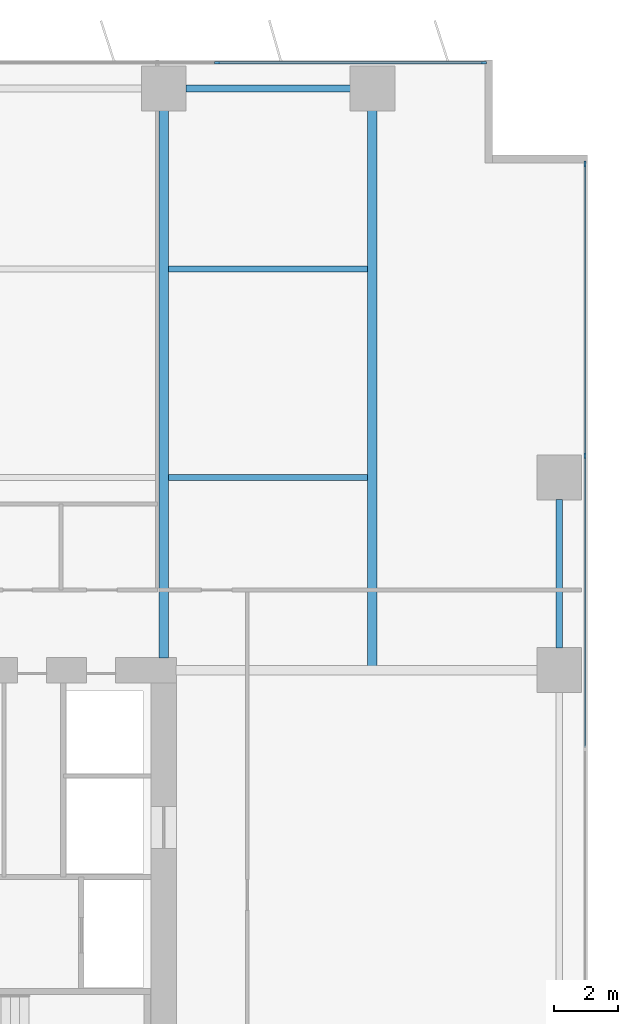
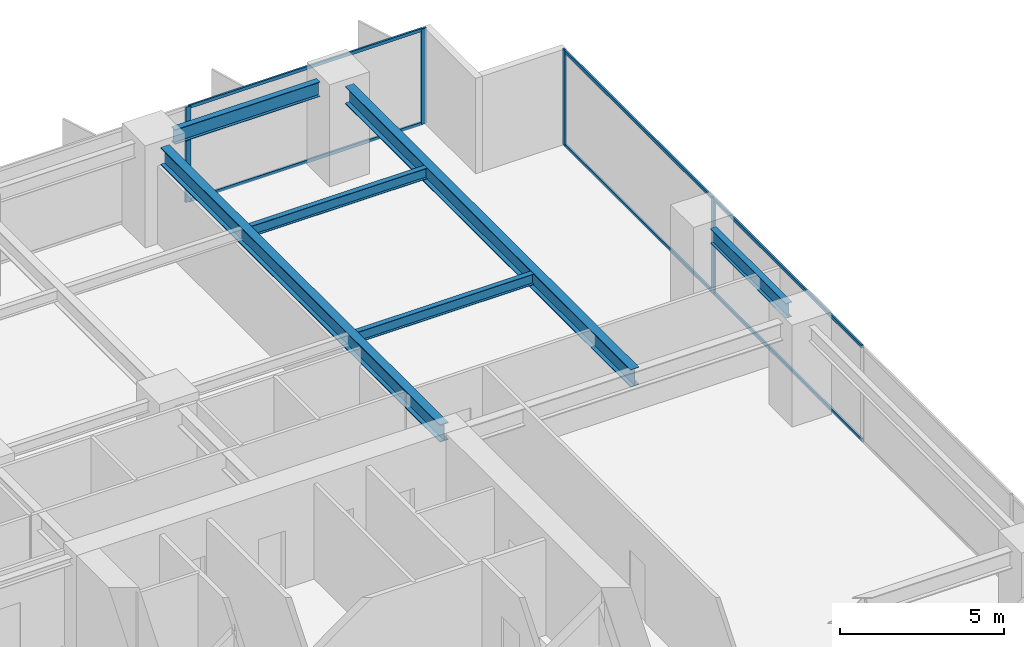
# One storey, part 11 of 20: 10 members, 6 beams, 2 elements without a shape of their own.
"""IFC4 building model written with IfcOpenShell, lengths in metres."""

from ifc_helpers import new_model, si_unit, direction, frame, origin, origin_2d, place, context, subcontext, project, spatial, rectangle, i_section, extrude, material, layer, layer_set, material_profile, profile_set, type_object, element, aggregate, save


model = new_model("IFC4")

# Units and contexts
model_context = context("Model", 3, precision=1e-05, world=origin(), true_north=direction((0.0, 1.0)))
body_context = subcontext(model_context, "Body", "Model", "MODEL_VIEW")
ifc_project = project(units=[si_unit("LENGTHUNIT", "METRE"), si_unit("AREAUNIT", "SQUARE_METRE"), si_unit("VOLUMEUNIT", "CUBIC_METRE"), si_unit("PLANEANGLEUNIT", "RADIAN"), si_unit("MASSUNIT", "GRAM", prefix="KILO")], contexts=[model_context])

# Site, building, storey
site_placement = place(None, origin())
site = spatial("IfcSite", under=ifc_project, at=site_placement, CompositionType="ELEMENT")
building_placement = place(site_placement, origin())
building = spatial("IfcBuilding", under=site, at=building_placement, Name="Putna Gate Headquarters", CompositionType="ELEMENT")
storey_placement = place(building_placement, frame((0.0, 0.0, 54.39990234375)))
storey = spatial("IfcBuildingStorey", under=building, at=storey_placement, Name="L12", CompositionType="ELEMENT", Elevation=54.39990234375)

# Beams
ifc_material_1 = material(Name="Steel S355J2", Category="steel")
ifc_material_profile_1 = material_profile(ifc_material_1, i_section(OverallWidth=0.300048828125, OverallDepth=0.64990234375, WebThickness=0.01611328125, FlangeThickness=0.031005859375, at=origin_2d()), Name="Steel S355J2")
ifc_profile_set_1 = profile_set([ifc_material_profile_1], Name="Steel S355J2")
beam_type_1 = type_object("IfcBeamType", Name="BM-GIRD-Z1-HEB650", PredefinedType="USERDEFINED", material=ifc_profile_set_1)
beam_1_placement = place(storey_placement, frame((65.0, 33.385009765625, 3.22509765625), z_axis=(0.0, 1.0, 0.0), x_axis=(-1.0, 0.0, 0.0)))
element("IfcBeam", 1, at=beam_1_placement, inside=storey, type_object=beam_type_1, Name="L12 North Primary Girder X65", ObjectType="GIRDER", PredefinedType="USERDEFINED", context=body_context, shape_type="SweptSolid", body=[
    extrude(i_section(OverallWidth=0.300048828125, OverallDepth=0.64990234375, WebThickness=0.01611328125, FlangeThickness=0.031005859375, at=origin_2d()), origin(), (0.0, 0.0, 1.0), 17.046875),
])
beam_2_placement = place(storey_placement, frame((71.5, 33.011962890625, 3.22509765625), z_axis=(0.0, 1.0, 0.0), x_axis=(-1.0, 0.0, 0.0)))
element("IfcBeam", 2, at=beam_2_placement, inside=storey, type_object=beam_type_1, Name="L12 North Primary Girder X71", ObjectType="GIRDER", PredefinedType="USERDEFINED", context=body_context, shape_type="SweptSolid", body=[
    extrude(i_section(OverallWidth=0.300048828125, OverallDepth=0.64990234375, WebThickness=0.01611328125, FlangeThickness=0.031005859375, at=origin_2d()), origin(), (0.0, 0.0, 1.0), 17.419921875),
])
ifc_material_profile_2 = material_profile(ifc_material_1, i_section(OverallWidth=0.179931640625, OverallDepth=0.39990234375, WebThickness=0.008544921875, FlangeThickness=0.013427734375, at=origin_2d()), Name="Steel S355J2")
ifc_profile_set_2 = profile_set([ifc_material_profile_2], Name="Steel S355J2")
beam_type_2 = type_object("IfcBeamType", Name="BM-SEC-Z1-IPE400", PredefinedType="BEAM", material=ifc_profile_set_2)
for number, where, z_axis, x_axis, name in (
    (3, (65.154052734375, 39.0, 3.35009765625), (1.0, 0.0, 0.0), (0.0, 1.0, 0.0), "L12 North Secondary Beam 10"),
    (4, (65.154052734375, 45.5, 3.35009765625), (1.0, 0.0, 0.0), (0.0, 1.0, 0.0), "L12 North Secondary Beam 10"),
):
    element("IfcBeam", number, at=place(storey_placement, frame(where, z_axis=z_axis, x_axis=x_axis)), inside=storey, type_object=beam_type_2, Name=name, PredefinedType="BEAM", context=body_context, shape_type="SweptSolid", body=[
        extrude(i_section(OverallWidth=0.179931640625, OverallDepth=0.39990234375, WebThickness=0.008544921875, FlangeThickness=0.013427734375, at=origin_2d()), origin(), (0.0, 0.0, 1.0), 6.19189453125),
    ])
ifc_material_profile_3 = material_profile(ifc_material_1, i_section(OverallWidth=0.2099609375, OverallDepth=0.550048828125, WebThickness=0.010986328125, FlangeThickness=0.01708984375, at=origin_2d()), Name="Steel S355J2")
ifc_profile_set_3 = profile_set([ifc_material_profile_3], Name="Steel S355J2")
beam_type_3 = type_object("IfcBeamType", Name="BM-SPAN-Z1-IPE550", PredefinedType="SPANDREL", material=ifc_profile_set_3)
beam_3_placement = place(storey_placement, frame((65.68798828125, 51.1201171875, 3.275146484375), z_axis=(1.0, 0.0, 0.0), x_axis=(0.0, 1.0, 0.0)))
element("IfcBeam", 5, at=beam_3_placement, inside=storey, type_object=beam_type_3, Name="L12 N Perimeter Spandrel 10", PredefinedType="SPANDREL", context=body_context, shape_type="SweptSolid", body=[
    extrude(i_section(OverallWidth=0.2099609375, OverallDepth=0.550048828125, WebThickness=0.010986328125, FlangeThickness=0.01708984375, at=origin_2d()), origin(), (0.0, 0.0, 1.0), 5.1240234375),
])
beam_4_placement = place(storey_placement, frame((77.320068359375, 33.68798828125, 3.275146484375), z_axis=(0.0, 1.0, 0.0), x_axis=(-1.0, 0.0, 0.0)))
element("IfcBeam", 6, at=beam_4_placement, inside=storey, type_object=beam_type_3, Name="L12 E End Spandrel 3", PredefinedType="SPANDREL", context=body_context, shape_type="SweptSolid", body=[
    extrude(i_section(OverallWidth=0.2099609375, OverallDepth=0.550048828125, WebThickness=0.010986328125, FlangeThickness=0.01708984375, at=origin_2d()), origin(), (0.0, 0.0, 1.0), 4.6240234375),
])

# Curtain wall, members
ifc_material_2 = material(Name="Anodised bronze aluminium curtain wall", Category="aluminium")
ifc_layer = layer(ifc_material_2, 0.179931640625)
ifc_layer_set = layer_set([ifc_layer], Name="Anodised bronze aluminium curtain wall")
curtain_wall_type = type_object("IfcCurtainWallType", Name="CW-SYS-Z1", PredefinedType="USERDEFINED", material=ifc_layer_set)
curtain_wall_1_placement = place(storey_placement, origin())
curtain_wall_1 = element("IfcCurtainWall", 7, at=curtain_wall_1_placement, inside=storey, type_object=curtain_wall_type, Name="L12 North East Curtain Wall", ObjectType="STICK CURTAIN WALL", PredefinedType="USERDEFINED")
ifc_material_3 = material(Name="Anodised bronze aluminium EN AW-6060", Category="aluminium")
ifc_material_profile_4 = material_profile(ifc_material_3, rectangle(XDim=0.070068359375, YDim=0.179931640625, at=origin_2d()), Name="Anodised bronze aluminium EN AW-6060")
ifc_profile_set_4 = profile_set([ifc_material_profile_4], Name="Anodised bronze aluminium EN AW-6060")
member_type_1 = type_object("IfcMemberType", Name="MULL-CWM-1", PredefinedType="MULLION", material=ifc_profile_set_4)
member_1_placement = place(storey_placement, frame((66.666748046875, 51.919921875, 0.0), z_axis=(0.0, 0.0, 1.0), x_axis=(0.0, 1.0, 0.0)))
member_1 = element("IfcMember", 8, at=member_1_placement, type_object=member_type_1, Name="CWS-1 mullion 3", PredefinedType="MULLION", context=body_context, shape_type="SweptSolid", body=[
    extrude(rectangle(XDim=0.070068359375, YDim=0.179931640625, at=origin_2d()), origin(), (0.0, 0.0, 1.0), 3.550048828125),
])
member_2_placement = place(storey_placement, frame((74.965087890625, 51.919921875, 0.0), z_axis=(0.0, 0.0, 1.0), x_axis=(0.0, 1.0, 0.0)))
member_2 = element("IfcMember", 9, at=member_2_placement, type_object=member_type_1, Name="CWS-1 mullion 4", PredefinedType="MULLION", context=body_context, shape_type="SweptSolid", body=[
    extrude(rectangle(XDim=0.070068359375, YDim=0.179931640625, at=origin_2d()), origin(), (0.0, 0.0, 1.0), 3.550048828125),
])

curtain_wall_2_placement = place(storey_placement, origin())
curtain_wall_2 = element("IfcCurtainWall", 10, at=curtain_wall_2_placement, inside=storey, type_object=curtain_wall_type, Name="L12 East Curtain Wall", ObjectType="STICK CURTAIN WALL", PredefinedType="USERDEFINED")
member_3_placement = place(storey_placement, frame((78.1201171875, 39.679931640625, 0.0), z_axis=(0.0, 0.0, 1.0), x_axis=(-1.0, 0.0, 0.0)))
member_3 = element("IfcMember", 11, at=member_3_placement, type_object=member_type_1, Name="CWS-1 mullion 5", PredefinedType="MULLION", context=body_context, shape_type="SweptSolid", body=[
    extrude(rectangle(XDim=0.070068359375, YDim=0.179931640625, at=origin_2d()), origin(), (0.0, 0.0, 1.0), 3.550048828125),
])
member_4_placement = place(storey_placement, frame((78.1201171875, 48.764892578125, 0.0), z_axis=(0.0, 0.0, 1.0), x_axis=(-1.0, 0.0, 0.0)))
member_4 = element("IfcMember", 12, at=member_4_placement, type_object=member_type_1, Name="CWS-1 mullion 6", PredefinedType="MULLION", context=body_context, shape_type="SweptSolid", body=[
    extrude(rectangle(XDim=0.070068359375, YDim=0.179931640625, at=origin_2d()), origin(), (0.0, 0.0, 1.0), 3.550048828125),
])

# Member
ifc_material_profile_5 = material_profile(ifc_material_3, rectangle(XDim=0.06494140625, YDim=0.1201171875, at=origin_2d()), Name="Anodised bronze aluminium EN AW-6060")
ifc_profile_set_5 = profile_set([ifc_material_profile_5], Name="Anodised bronze aluminium EN AW-6060")
member_type_2 = type_object("IfcMemberType", Name="TRAN-CWT-1", PredefinedType="USERDEFINED", material=ifc_profile_set_5)
member_5_placement = place(storey_placement, frame((66.70166015625, 51.919921875, 0.03271484375), z_axis=(1.0, 0.0, 0.0), x_axis=(0.0, 1.0, 0.0)))
member_5 = element("IfcMember", 13, at=member_5_placement, type_object=member_type_2, Name="CWS-1 transom 3.1", ObjectType="TRANSOM", PredefinedType="USERDEFINED", context=body_context, shape_type="SweptSolid", body=[
    extrude(rectangle(XDim=0.06494140625, YDim=0.1201171875, at=origin_2d()), origin(), (0.0, 0.0, 1.0), 8.228271484375),
])

member_6_placement = place(storey_placement, frame((66.70166015625, 51.919921875, 3.517578125), z_axis=(1.0, 0.0, 0.0), x_axis=(0.0, 1.0, 0.0)))
member_6 = element("IfcMember", 14, at=member_6_placement, type_object=member_type_2, Name="CWS-1 transom 3.2", ObjectType="TRANSOM", PredefinedType="USERDEFINED", context=body_context, shape_type="SweptSolid", body=[
    extrude(rectangle(XDim=0.06494140625, YDim=0.1201171875, at=origin_2d()), origin(), (0.0, 0.0, 1.0), 8.228271484375),
])

aggregate(curtain_wall_1, [member_1, member_2, member_5, member_6])

member_7_placement = place(storey_placement, frame((78.1201171875, 30.594970703125, 0.03271484375), z_axis=(0.0, 1.0, 0.0), x_axis=(-1.0, 0.0, 0.0)))
member_7 = element("IfcMember", 15, at=member_7_placement, type_object=member_type_2, Name="CWS-1 transom 4.1", ObjectType="TRANSOM", PredefinedType="USERDEFINED", context=body_context, shape_type="SweptSolid", body=[
    extrude(rectangle(XDim=0.06494140625, YDim=0.1201171875, at=origin_2d()), origin(), (0.0, 0.0, 1.0), 9.050048828125),
])

member_8_placement = place(storey_placement, frame((78.1201171875, 30.594970703125, 3.517578125), z_axis=(0.0, 1.0, 0.0), x_axis=(-1.0, 0.0, 0.0)))
member_8 = element("IfcMember", 16, at=member_8_placement, type_object=member_type_2, Name="CWS-1 transom 4.2", ObjectType="TRANSOM", PredefinedType="USERDEFINED", context=body_context, shape_type="SweptSolid", body=[
    extrude(rectangle(XDim=0.06494140625, YDim=0.1201171875, at=origin_2d()), origin(), (0.0, 0.0, 1.0), 9.050048828125),
])

member_9_placement = place(storey_placement, frame((78.1201171875, 39.715087890625, 0.03271484375), z_axis=(0.0, 1.0, 0.0), x_axis=(-1.0, 0.0, 0.0)))
member_9 = element("IfcMember", 17, at=member_9_placement, type_object=member_type_2, Name="CWS-1 transom 5.1", ObjectType="TRANSOM", PredefinedType="USERDEFINED", context=body_context, shape_type="SweptSolid", body=[
    extrude(rectangle(XDim=0.06494140625, YDim=0.1201171875, at=origin_2d()), origin(), (0.0, 0.0, 1.0), 9.014892578125),
])

member_10_placement = place(storey_placement, frame((78.1201171875, 39.715087890625, 3.517578125), z_axis=(0.0, 1.0, 0.0), x_axis=(-1.0, 0.0, 0.0)))
member_10 = element("IfcMember", 18, at=member_10_placement, type_object=member_type_2, Name="CWS-1 transom 5.2", ObjectType="TRANSOM", PredefinedType="USERDEFINED", context=body_context, shape_type="SweptSolid", body=[
    extrude(rectangle(XDim=0.06494140625, YDim=0.1201171875, at=origin_2d()), origin(), (0.0, 0.0, 1.0), 9.014892578125),
])

aggregate(curtain_wall_2, [member_3, member_4, member_7, member_8, member_9, member_10])

save(model, "model.ifc")
